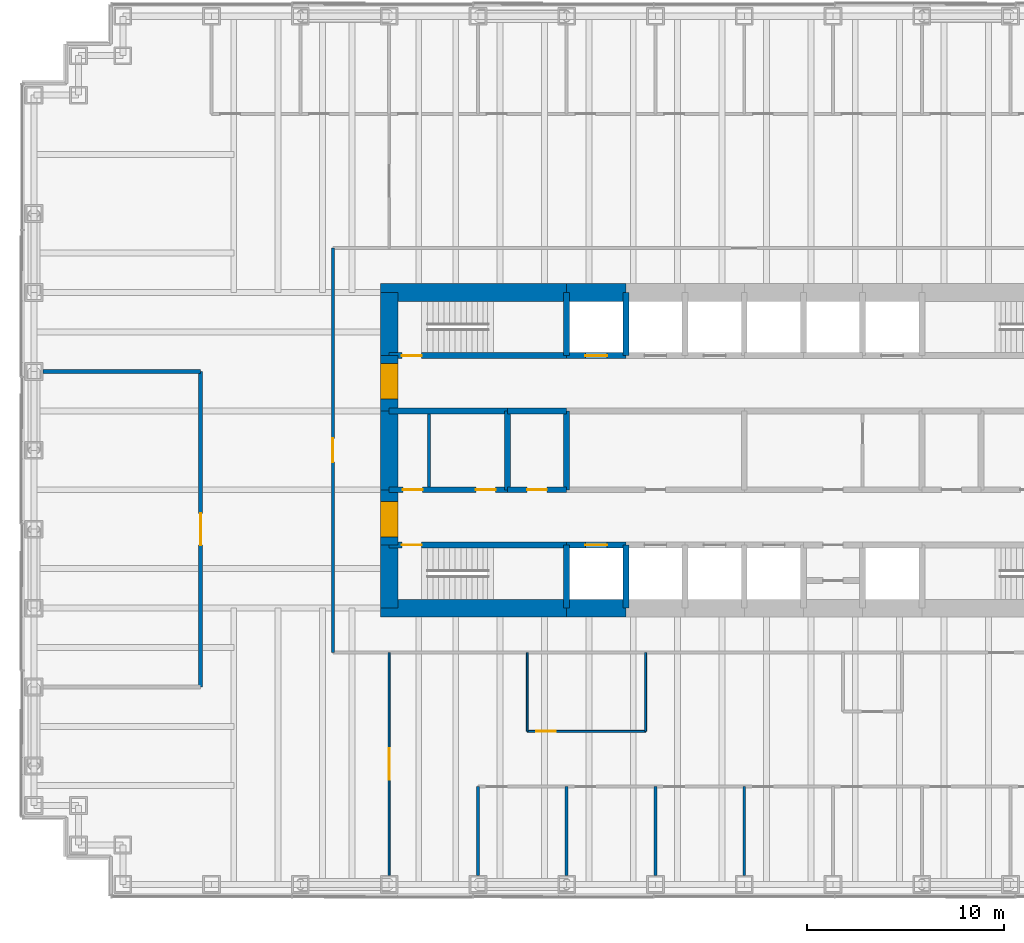
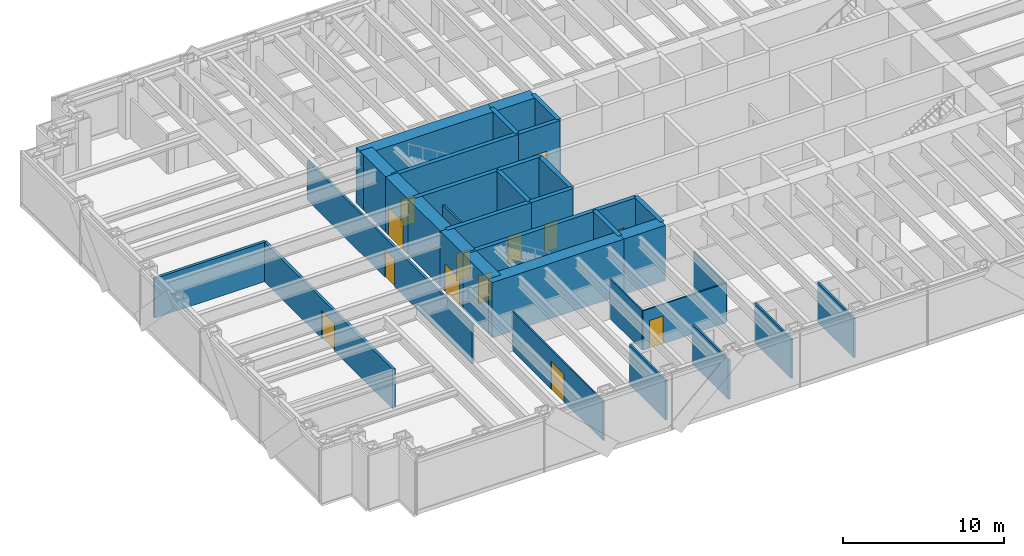
# One storey, part 11 of 16: 35 walls, 13 doors, 13 openings.
"""IFC4 building model written with IfcOpenShell, lengths in metres."""

from ifc_helpers import new_model, si_unit, direction, frame, frame_2d, origin, place, context, subcontext, project, spatial, rectangle, extrude, material, layer, layer_set, type_object, element, fill, save


model = new_model("IFC4")

# Units and contexts
model_context = context("Model", 3, precision=1e-05, world=origin(), true_north=direction((0.0, 1.0)))
body_context = subcontext(model_context, "Body", "Model", "MODEL_VIEW")
ifc_project = project(units=[si_unit("LENGTHUNIT", "METRE"), si_unit("AREAUNIT", "SQUARE_METRE"), si_unit("VOLUMEUNIT", "CUBIC_METRE"), si_unit("PLANEANGLEUNIT", "RADIAN"), si_unit("MASSUNIT", "GRAM", prefix="KILO")], contexts=[model_context])

# Site, building, storey
site_placement = place(None, origin())
site = spatial("IfcSite", under=ifc_project, at=site_placement, CompositionType="ELEMENT")
building_placement = place(site_placement, origin())
building = spatial("IfcBuilding", under=site, at=building_placement, Name="Rheinbord Bourse Tower", CompositionType="ELEMENT")
storey_placement = place(building_placement, frame((0.0, 0.0, 171.89990234375)))
storey = spatial("IfcBuildingStorey", under=building, at=storey_placement, Name="L38", CompositionType="ELEMENT", Elevation=171.89990234375)

# Wall
ifc_material_1 = material(Name="Acoustic gypsum board partition", Category="gypsum board")
ifc_layer_1 = layer(ifc_material_1, 0.199951171875)
ifc_layer_set_1 = layer_set([ifc_layer_1], Name="ACOUSTIC PARTITION 200")
wall_type_1 = type_object("IfcWallType", Name="ACOUSTIC PARTITION 200", PredefinedType="PARTITIONING", material=ifc_layer_set_1)
wall_1_placement = place(storey_placement, frame((0.449951171875, 28.0, 0.0), z_axis=(0.0, 0.0, 1.0), x_axis=(1.0, 0.0, 0.0)))
element("IfcWall", 1, at=wall_1_placement, inside=storey, type_object=wall_type_1, Name="Partition L38-10", PredefinedType="PARTITIONING", context=body_context, shape_type="SweptSolid", body=[
    extrude(rectangle(XDim=8.0, YDim=0.199951171875, at=frame_2d((4.0, 0.0))), origin(), (0.0, 0.0, 1.0), 3.0),
])

# Wall, opening, door
wall_2_placement = place(storey_placement, frame((8.449951171875, 12.0, 0.0), z_axis=(0.0, 0.0, 1.0), x_axis=(0.0, 1.0, 0.0)))
wall_2 = element("IfcWall", 2, at=wall_2_placement, inside=storey, type_object=wall_type_1, Name="Partition L38-15", PredefinedType="PARTITIONING", context=body_context, shape_type="SweptSolid", body=[
    extrude(rectangle(XDim=16.0, YDim=0.199951171875, at=frame_2d((8.0, 0.0))), origin(), (0.0, 0.0, 1.0), 3.0),
])
opening_1_placement = place(wall_2_placement, frame((7.199951171875, 0.0, 0.0)))
opening_1 = element("IfcOpeningElement", 3, at=opening_1_placement, cuts=wall_2, Name="Opening 38D12", PredefinedType="OPENING", context=body_context, shape_type="SweptSolid", body=[
    extrude(rectangle(XDim=1.60009765625, YDim=2.10009765625, at=frame_2d((0.800048828125, 1.050048828125))), frame((0.0, 0.10986328125, 0.0), z_axis=(0.0, -1.0, 0.0), x_axis=(1.0, 0.0, 0.0)), (0.0, 0.0, 1.0), 0.219970703125),
])
ifc_material_2 = material(Name="Timber door", Category="wood")
door_type_1 = type_object("IfcDoorType", Name="DOUBLE ROOM DOOR 1600", OperationType="DOUBLE_DOOR_DOUBLE_SWING", PredefinedType="DOOR", material=ifc_material_2)
door_1_placement = place(opening_1_placement, origin())
door_1 = element("IfcDoor", 4, at=door_1_placement, inside=storey, type_object=door_type_1, Name="Hearing room door L38", OperationType="SINGLE_SWING_LEFT", OverallHeight=2.10009765625, OverallWidth=1.60009765625, PredefinedType="DOOR", context=body_context, shape_type="SweptSolid", body=[
    extrude(rectangle(XDim=1.60009765625, YDim=2.10009765625, at=frame_2d((0.800048828125, 1.050048828125))), frame((0.0, 0.02490234375, 0.0), z_axis=(0.0, -1.0, 0.0), x_axis=(1.0, 0.0, 0.0)), (0.0, 0.0, 1.0), 0.050048828125),
])
fill(opening_1, door_1)

ifc_material_3 = material(Name="Concrete C50/60", Category="concrete")
ifc_layer_2 = layer(ifc_material_3, 0.300048828125)
ifc_layer_set_2 = layer_set([ifc_layer_2], Name="CORE INNER WALL 300")
wall_type_2 = type_object("IfcWallType", Name="CORE INNER WALL 300", PredefinedType="SOLIDWALL", material=ifc_layer_set_2)
wall_3_placement = place(storey_placement, frame((18.0, 19.199951171875, 0.0), z_axis=(0.0, 0.0, 1.0), x_axis=(1.0, 0.0, 0.0)))
wall_3 = element("IfcWall", 5, at=wall_3_placement, inside=storey, type_object=wall_type_2, Name="Core wall A1 L38", PredefinedType="SOLIDWALL", context=body_context, shape_type="SweptSolid", body=[
    extrude(rectangle(XDim=9.0, YDim=0.300048828125, at=frame_2d((4.5, 0.0))), origin(), (0.0, 0.0, 1.0), 4.2001953125),
])
opening_2_placement = place(wall_3_placement, frame((0.64990234375, 0.0, 0.0)))
opening_2 = element("IfcOpeningElement", 6, at=opening_2_placement, cuts=wall_3, Name="Opening 3810", PredefinedType="OPENING", context=body_context, shape_type="SweptSolid", body=[
    extrude(rectangle(XDim=1.0, YDim=2.10009765625, at=frame_2d((0.5, 1.050048828125))), frame((0.0, 0.159912109375, 0.0), z_axis=(0.0, -1.0, 0.0), x_axis=(1.0, 0.0, 0.0)), (0.0, 0.0, 1.0), 0.320068359375),
])
ifc_material_4 = material(Name="Steel door", Category="steel")
door_type_2 = type_object("IfcDoorType", Name="DOOR 1000 EI30", OperationType="SINGLE_SWING_LEFT", PredefinedType="DOOR", material=ifc_material_4)
door_2_placement = place(opening_2_placement, origin())
door_2 = element("IfcDoor", 7, at=door_2_placement, inside=storey, type_object=door_type_2, Name="Stair door ST1 L38", OperationType="SINGLE_SWING_LEFT", OverallHeight=2.10009765625, OverallWidth=1.0, PredefinedType="DOOR", context=body_context, shape_type="SweptSolid", body=[
    extrude(rectangle(XDim=1.0, YDim=2.10009765625, at=frame_2d((0.5, 1.050048828125))), frame((0.0, 0.02490234375, 0.0), z_axis=(0.0, -1.0, 0.0), x_axis=(1.0, 0.0, 0.0)), (0.0, 0.0, 1.0), 0.050048828125),
])
fill(opening_2, door_2)

wall_4_placement = place(storey_placement, frame((27.0, 19.199951171875, 0.0), z_axis=(0.0, 0.0, 1.0), x_axis=(1.0, 0.0, 0.0)))
wall_4 = element("IfcWall", 8, at=wall_4_placement, inside=storey, type_object=wall_type_2, Name="Core wall A2 L38", PredefinedType="SOLIDWALL", context=body_context, shape_type="SweptSolid", body=[
    extrude(rectangle(XDim=3.0, YDim=0.300048828125, at=frame_2d((1.5, 0.0))), origin(), (0.0, 0.0, 1.0), 4.2001953125),
])
opening_3_placement = place(wall_4_placement, frame((0.949951171875, 0.0, 0.0)))
opening_3 = element("IfcOpeningElement", 9, at=opening_3_placement, cuts=wall_4, Name="Opening FL1", PredefinedType="OPENING", context=body_context, shape_type="SweptSolid", body=[
    extrude(rectangle(XDim=1.10009765625, YDim=2.199951171875, at=frame_2d((0.550048828125, 1.10009765625))), frame((0.0, 0.159912109375, 0.0), z_axis=(0.0, -1.0, 0.0), x_axis=(1.0, 0.0, 0.0)), (0.0, 0.0, 1.0), 0.320068359375),
])
ifc_material_5 = material(Name="Steel landing door", Category="steel")
door_type_3 = type_object("IfcDoorType", Name="LIFT LANDING DOOR 1100", OperationType="DOUBLE_DOOR_SLIDING", PredefinedType="USERDEFINED", material=ifc_material_5)
door_3_placement = place(opening_3_placement, origin())
door_3 = element("IfcDoor", 10, at=door_3_placement, inside=storey, type_object=door_type_3, Name="Lift landing door FL1 L38", ObjectType="LIFT LANDING DOOR", OperationType="DOUBLE_DOOR_SLIDING", OverallHeight=2.199951171875, OverallWidth=1.10009765625, PredefinedType="USERDEFINED", context=body_context, shape_type="SweptSolid", body=[
    extrude(rectangle(XDim=1.10009765625, YDim=2.199951171875, at=frame_2d((0.550048828125, 1.10009765625))), frame((0.0, 0.02490234375, 0.0), z_axis=(0.0, -1.0, 0.0), x_axis=(1.0, 0.0, 0.0)), (0.0, 0.0, 1.0), 0.050048828125),
])
fill(opening_3, door_3)

wall_5_placement = place(storey_placement, frame((18.0, 28.800048828125, 0.0), z_axis=(0.0, 0.0, 1.0), x_axis=(1.0, 0.0, 0.0)))
wall_5 = element("IfcWall", 11, at=wall_5_placement, inside=storey, type_object=wall_type_2, Name="Core wall B1 L38", PredefinedType="SOLIDWALL", context=body_context, shape_type="SweptSolid", body=[
    extrude(rectangle(XDim=9.0, YDim=0.300048828125, at=frame_2d((4.5, 0.0))), origin(), (0.0, 0.0, 1.0), 4.2001953125),
])
opening_4_placement = place(wall_5_placement, frame((0.64990234375, 0.0, 0.0)))
opening_4 = element("IfcOpeningElement", 12, at=opening_4_placement, cuts=wall_5, Name="Opening 3820", PredefinedType="OPENING", context=body_context, shape_type="SweptSolid", body=[
    extrude(rectangle(XDim=1.0, YDim=2.10009765625, at=frame_2d((0.5, 1.050048828125))), frame((0.0, 0.159912109375, 0.0), z_axis=(0.0, -1.0, 0.0), x_axis=(1.0, 0.0, 0.0)), (0.0, 0.0, 1.0), 0.320068359375),
])
door_4_placement = place(opening_4_placement, origin())
door_4 = element("IfcDoor", 13, at=door_4_placement, inside=storey, type_object=door_type_2, Name="Stair door ST2 L38", OperationType="SINGLE_SWING_LEFT", OverallHeight=2.10009765625, OverallWidth=1.0, PredefinedType="DOOR", context=body_context, shape_type="SweptSolid", body=[
    extrude(rectangle(XDim=1.0, YDim=2.10009765625, at=frame_2d((0.5, 1.050048828125))), frame((0.0, 0.02490234375, 0.0), z_axis=(0.0, -1.0, 0.0), x_axis=(1.0, 0.0, 0.0)), (0.0, 0.0, 1.0), 0.050048828125),
])
fill(opening_4, door_4)

wall_6_placement = place(storey_placement, frame((27.0, 28.800048828125, 0.0), z_axis=(0.0, 0.0, 1.0), x_axis=(1.0, 0.0, 0.0)))
wall_6 = element("IfcWall", 14, at=wall_6_placement, inside=storey, type_object=wall_type_2, Name="Core wall B2 L38", PredefinedType="SOLIDWALL", context=body_context, shape_type="SweptSolid", body=[
    extrude(rectangle(XDim=3.0, YDim=0.300048828125, at=frame_2d((1.5, 0.0))), origin(), (0.0, 0.0, 1.0), 4.2001953125),
])
opening_5_placement = place(wall_6_placement, frame((0.949951171875, 0.0, 0.0)))
opening_5 = element("IfcOpeningElement", 15, at=opening_5_placement, cuts=wall_6, Name="Opening GL1", PredefinedType="OPENING", context=body_context, shape_type="SweptSolid", body=[
    extrude(rectangle(XDim=1.10009765625, YDim=2.199951171875, at=frame_2d((0.550048828125, 1.10009765625))), frame((0.0, 0.159912109375, 0.0), z_axis=(0.0, -1.0, 0.0), x_axis=(1.0, 0.0, 0.0)), (0.0, 0.0, 1.0), 0.320068359375),
])
door_5_placement = place(opening_5_placement, origin())
door_5 = element("IfcDoor", 16, at=door_5_placement, inside=storey, type_object=door_type_3, Name="Lift landing door GL1 L38", ObjectType="LIFT LANDING DOOR", OperationType="DOUBLE_DOOR_SLIDING", OverallHeight=2.199951171875, OverallWidth=1.10009765625, PredefinedType="USERDEFINED", context=body_context, shape_type="SweptSolid", body=[
    extrude(rectangle(XDim=1.10009765625, YDim=2.199951171875, at=frame_2d((0.550048828125, 1.10009765625))), frame((0.0, 0.02490234375, 0.0), z_axis=(0.0, -1.0, 0.0), x_axis=(1.0, 0.0, 0.0)), (0.0, 0.0, 1.0), 0.050048828125),
])
fill(opening_5, door_5)

# Wall, openings, doors
wall_7_placement = place(storey_placement, frame((18.0, 22.0, 0.0), z_axis=(0.0, 0.0, 1.0), x_axis=(1.0, 0.0, 0.0)))
wall_7 = element("IfcWall", 17, at=wall_7_placement, inside=storey, type_object=wall_type_2, Name="Core wall C1 L38", PredefinedType="SOLIDWALL", context=body_context, shape_type="SweptSolid", body=[
    extrude(rectangle(XDim=6.0, YDim=0.300048828125, at=frame_2d((3.0, 0.0))), origin(), (0.0, 0.0, 1.0), 4.2001953125),
])
opening_6_placement = place(wall_7_placement, frame((4.39990234375, 0.0, 0.0)))
opening_6 = element("IfcOpeningElement", 18, at=opening_6_placement, cuts=wall_7, Name="Opening 38R1", PredefinedType="OPENING", context=body_context, shape_type="SweptSolid", body=[
    extrude(rectangle(XDim=1.0, YDim=2.10009765625, at=frame_2d((0.5, 1.050048828125))), frame((0.0, 0.159912109375, 0.0), z_axis=(0.0, -1.0, 0.0), x_axis=(1.0, 0.0, 0.0)), (0.0, 0.0, 1.0), 0.320068359375),
])
opening_7_placement = place(wall_7_placement, frame((0.699951171875, 0.0, 0.0)))
opening_7 = element("IfcOpeningElement", 19, at=opening_7_placement, cuts=wall_7, Name="Opening 38R9", PredefinedType="OPENING", context=body_context, shape_type="SweptSolid", body=[
    extrude(rectangle(XDim=1.0, YDim=2.10009765625, at=frame_2d((0.5, 1.050048828125))), frame((0.0, 0.159912109375, 0.0), z_axis=(0.0, -1.0, 0.0), x_axis=(1.0, 0.0, 0.0)), (0.0, 0.0, 1.0), 0.320068359375),
])
door_6_placement = place(opening_7_placement, origin())
door_6 = element("IfcDoor", 20, at=door_6_placement, inside=storey, type_object=door_type_2, Name="Staff shower door L38", OperationType="SINGLE_SWING_LEFT", OverallHeight=2.10009765625, OverallWidth=1.0, PredefinedType="DOOR", context=body_context, shape_type="SweptSolid", body=[
    extrude(rectangle(XDim=1.0, YDim=2.10009765625, at=frame_2d((0.5, 1.050048828125))), frame((0.0, 0.02490234375, 0.0), z_axis=(0.0, -1.0, 0.0), x_axis=(1.0, 0.0, 0.0)), (0.0, 0.0, 1.0), 0.050048828125),
])
fill(opening_7, door_6)
ifc_material_6 = material(Name="Timber door", Category="wood")
door_type_4 = type_object("IfcDoorType", Name="DOOR 1000 WC", OperationType="SINGLE_SWING_LEFT", PredefinedType="DOOR", material=ifc_material_6)
door_7_placement = place(opening_6_placement, origin())
door_7 = element("IfcDoor", 21, at=door_7_placement, inside=storey, type_object=door_type_4, Name="WC men door L38", OperationType="SINGLE_SWING_RIGHT", OverallHeight=2.10009765625, OverallWidth=1.0, PredefinedType="DOOR", context=body_context, shape_type="SweptSolid", body=[
    extrude(rectangle(XDim=1.0, YDim=2.10009765625, at=frame_2d((0.5, 1.050048828125))), frame((0.0, 0.02490234375, 0.0), z_axis=(0.0, -1.0, 0.0), x_axis=(1.0, 0.0, 0.0)), (0.0, 0.0, 1.0), 0.050048828125),
])
fill(opening_6, door_7)

# Wall, opening, door
wall_8_placement = place(storey_placement, frame((24.0, 22.0, 0.0), z_axis=(0.0, 0.0, 1.0), x_axis=(1.0, 0.0, 0.0)))
wall_8 = element("IfcWall", 22, at=wall_8_placement, inside=storey, type_object=wall_type_2, Name="Core wall C2 L38", PredefinedType="SOLIDWALL", context=body_context, shape_type="SweptSolid", body=[
    extrude(rectangle(XDim=3.0, YDim=0.300048828125, at=frame_2d((1.5, 0.0))), origin(), (0.0, 0.0, 1.0), 4.2001953125),
])
opening_8_placement = place(wall_8_placement, frame((1.0, 0.0, 0.0)))
opening_8 = element("IfcOpeningElement", 23, at=opening_8_placement, cuts=wall_8, Name="Opening 38R2", PredefinedType="OPENING", context=body_context, shape_type="SweptSolid", body=[
    extrude(rectangle(XDim=1.0, YDim=2.10009765625, at=frame_2d((0.5, 1.050048828125))), frame((0.0, 0.159912109375, 0.0), z_axis=(0.0, -1.0, 0.0), x_axis=(1.0, 0.0, 0.0)), (0.0, 0.0, 1.0), 0.320068359375),
])
door_8_placement = place(opening_8_placement, origin())
door_8 = element("IfcDoor", 24, at=door_8_placement, inside=storey, type_object=door_type_4, Name="Accessible WC door L38", OperationType="SINGLE_SWING_LEFT", OverallHeight=2.10009765625, OverallWidth=1.0, PredefinedType="DOOR", context=body_context, shape_type="SweptSolid", body=[
    extrude(rectangle(XDim=1.0, YDim=2.10009765625, at=frame_2d((0.5, 1.050048828125))), frame((0.0, 0.02490234375, 0.0), z_axis=(0.0, -1.0, 0.0), x_axis=(1.0, 0.0, 0.0)), (0.0, 0.0, 1.0), 0.050048828125),
])
fill(opening_8, door_8)

# Walls
wall_9_placement = place(storey_placement, frame((18.0, 26.0, 0.0), z_axis=(0.0, 0.0, 1.0), x_axis=(1.0, 0.0, 0.0)))
element("IfcWall", 25, at=wall_9_placement, inside=storey, type_object=wall_type_2, Name="Core wall D1 L38", PredefinedType="SOLIDWALL", context=body_context, shape_type="SweptSolid", body=[
    extrude(rectangle(XDim=6.0, YDim=0.300048828125, at=frame_2d((3.0, 0.0))), origin(), (0.0, 0.0, 1.0), 4.2001953125),
])
wall_10_placement = place(storey_placement, frame((24.0, 26.0, 0.0), z_axis=(0.0, 0.0, 1.0), x_axis=(1.0, 0.0, 0.0)))
element("IfcWall", 26, at=wall_10_placement, inside=storey, type_object=wall_type_2, Name="Core wall D2 L38", PredefinedType="SOLIDWALL", context=body_context, shape_type="SweptSolid", body=[
    extrude(rectangle(XDim=3.0, YDim=0.300048828125, at=frame_2d((1.5, 0.0))), origin(), (0.0, 0.0, 1.0), 4.2001953125),
])
for number, where, z_axis, x_axis, name in (
    (27, (27.0, 16.0, 0.0), (0.0, 0.0, 1.0), (0.0, 1.0, 0.0), "Core wall SX27 L38"),
    (28, (27.0, 28.800048828125, 0.0), (0.0, 0.0, 1.0), (0.0, 1.0, 0.0), "Core wall NX27 L38"),
    (29, (30.0, 16.0, 0.0), (0.0, 0.0, 1.0), (0.0, 1.0, 0.0), "Core wall SX30 L38"),
    (30, (30.0, 28.800048828125, 0.0), (0.0, 0.0, 1.0), (0.0, 1.0, 0.0), "Core wall NX30 L38"),
):
    element("IfcWall", number, at=place(storey_placement, frame(where, z_axis=z_axis, x_axis=x_axis)), inside=storey, type_object=wall_type_2, Name=name, PredefinedType="SOLIDWALL", context=body_context, shape_type="SweptSolid", body=[
        extrude(rectangle(XDim=3.199951171875, YDim=0.300048828125, at=frame_2d((1.60009765625, 0.0))), origin(), (0.0, 0.0, 1.0), 4.2001953125),
    ])
for number, where, z_axis, x_axis, name in (
    (31, (24.0, 22.0, 0.0), (0.0, 0.0, 1.0), (0.0, 1.0, 0.0), "Core wall MX24 L38"),
    (32, (27.0, 22.0, 0.0), (0.0, 0.0, 1.0), (0.0, 1.0, 0.0), "Core wall MX27 L38"),
):
    element("IfcWall", number, at=place(storey_placement, frame(where, z_axis=z_axis, x_axis=x_axis)), inside=storey, type_object=wall_type_2, Name=name, PredefinedType="SOLIDWALL", context=body_context, shape_type="SweptSolid", body=[
        extrude(rectangle(XDim=4.0, YDim=0.300048828125, at=frame_2d((2.0, 0.0))), origin(), (0.0, 0.0, 1.0), 4.2001953125),
    ])
ifc_material_7 = material(Name="Gypsum board fire partition", Category="gypsum board")
ifc_layer_3 = layer(ifc_material_7, 0.14990234375)
ifc_layer_set_3 = layer_set([ifc_layer_3], Name="CORE PARTITION 150 EI30")
wall_type_3 = type_object("IfcWallType", Name="CORE PARTITION 150 EI30", PredefinedType="PARTITIONING", material=ifc_layer_set_3)
wall_11_placement = place(storey_placement, frame((20.02490234375, 22.14990234375, 0.0), z_axis=(0.0, 0.0, 1.0), x_axis=(0.0, 1.0, 0.0)))
element("IfcWall", 33, at=wall_11_placement, inside=storey, type_object=wall_type_3, Name="Core partition L38-2", PredefinedType="PARTITIONING", context=body_context, shape_type="SweptSolid", body=[
    extrude(rectangle(XDim=3.7001953125, YDim=0.14990234375, at=frame_2d((1.85009765625, 0.0))), origin(), (0.0, 0.0, 1.0), 3.0),
])
ifc_material_8 = material(Name="Concrete C50/60", Category="concrete")
ifc_layer_4 = layer(ifc_material_8, 0.89990234375)
ifc_layer_set_4 = layer_set([ifc_layer_4], Name="CORE WALL 900")
wall_type_4 = type_object("IfcWallType", Name="CORE WALL 900", PredefinedType="SHEAR", material=ifc_layer_set_4)
wall_12_placement = place(storey_placement, frame((17.550048828125, 16.0, 0.0), z_axis=(0.0, 0.0, 1.0), x_axis=(1.0, 0.0, 0.0)))
element("IfcWall", 34, at=wall_12_placement, inside=storey, type_object=wall_type_4, Name="Core wall S1 L38", PredefinedType="SHEAR", context=body_context, shape_type="SweptSolid", body=[
    extrude(rectangle(XDim=9.449951171875, YDim=0.89990234375, at=frame_2d((4.72509765625, 0.0))), origin(), (0.0, 0.0, 1.0), 4.2001953125),
])
for number, where, z_axis, x_axis, name in (
    (35, (27.0, 16.0, 0.0), (0.0, 0.0, 1.0), (1.0, 0.0, 0.0), "Core wall S2 L38"),
    (36, (30.0, 32.0, 0.0), (0.0, 0.0, 1.0), (-1.0, 0.0, 0.0), "Core wall N7 L38"),
):
    element("IfcWall", number, at=place(storey_placement, frame(where, z_axis=z_axis, x_axis=x_axis)), inside=storey, type_object=wall_type_4, Name=name, PredefinedType="SHEAR", context=body_context, shape_type="SweptSolid", body=[
        extrude(rectangle(XDim=3.0, YDim=0.89990234375, at=frame_2d((1.5, 0.0))), origin(), (0.0, 0.0, 1.0), 4.2001953125),
    ])
wall_13_placement = place(storey_placement, frame((27.0, 32.0, 0.0), z_axis=(0.0, 0.0, 1.0), x_axis=(-1.0, 0.0, 0.0)))
element("IfcWall", 37, at=wall_13_placement, inside=storey, type_object=wall_type_4, Name="Core wall N8 L38", PredefinedType="SHEAR", context=body_context, shape_type="SweptSolid", body=[
    extrude(rectangle(XDim=9.449951171875, YDim=0.89990234375, at=frame_2d((4.72509765625, 0.0))), origin(), (0.0, 0.0, 1.0), 4.2001953125),
])
wall_14_placement = place(storey_placement, frame((18.0, 32.0, 0.0), z_axis=(0.0, 0.0, 1.0), x_axis=(0.0, -1.0, 0.0)))
element("IfcWall", 38, at=wall_14_placement, inside=storey, type_object=wall_type_4, Name="Core wall W1 L38", PredefinedType="SHEAR", context=body_context, shape_type="SweptSolid", body=[
    extrude(rectangle(XDim=3.199951171875, YDim=0.89990234375, at=frame_2d((1.60009765625, 0.0))), origin(), (0.0, 0.0, 1.0), 4.2001953125),
])

# Wall, opening, door
wall_15_placement = place(storey_placement, frame((18.0, 28.800048828125, 0.0), z_axis=(0.0, 0.0, 1.0), x_axis=(0.0, -1.0, 0.0)))
wall_15 = element("IfcWall", 39, at=wall_15_placement, inside=storey, type_object=wall_type_4, Name="Core wall W2 L38", PredefinedType="SHEAR", context=body_context, shape_type="SweptSolid", body=[
    extrude(rectangle(XDim=2.800048828125, YDim=0.89990234375, at=frame_2d((1.39990234375, 0.0))), origin(), (0.0, 0.0, 1.0), 4.2001953125),
])
opening_9_placement = place(wall_15_placement, frame((0.39990234375, 0.0, 0.0)))
opening_9 = element("IfcOpeningElement", 40, at=opening_9_placement, cuts=wall_15, Name="Opening 38L2", PredefinedType="OPENING", context=body_context, shape_type="SweptSolid", body=[
    extrude(rectangle(XDim=1.800048828125, YDim=2.10009765625, at=frame_2d((0.89990234375, 1.050048828125))), frame((0.0, 0.4599609375, 0.0), z_axis=(0.0, -1.0, 0.0), x_axis=(1.0, 0.0, 0.0)), (0.0, 0.0, 1.0), 0.919921875),
])
ifc_material_9 = material(Name="Steel door", Category="steel")
door_type_5 = type_object("IfcDoorType", Name="DOOR 1800 EI30 DOUBLE", OperationType="DOUBLE_DOOR_DOUBLE_SWING", PredefinedType="DOOR", material=ifc_material_9)
door_9_placement = place(opening_9_placement, origin())
door_9 = element("IfcDoor", 41, at=door_9_placement, inside=storey, type_object=door_type_5, Name="Lobby door 2 L38", OperationType="SINGLE_SWING_LEFT", OverallHeight=2.10009765625, OverallWidth=1.800048828125, PredefinedType="DOOR", context=body_context, shape_type="SweptSolid", body=[
    extrude(rectangle(XDim=1.800048828125, YDim=2.10009765625, at=frame_2d((0.89990234375, 1.050048828125))), frame((0.0, 0.44970703125, 0.0), z_axis=(0.0, -1.0, 0.0), x_axis=(1.0, 0.0, 0.0)), (0.0, 0.0, 1.0), 0.8994140625),
])
fill(opening_9, door_9)

# Wall
wall_16_placement = place(storey_placement, frame((18.0, 26.0, 0.0), z_axis=(0.0, 0.0, 1.0), x_axis=(0.0, -1.0, 0.0)))
element("IfcWall", 42, at=wall_16_placement, inside=storey, type_object=wall_type_4, Name="Core wall W3 L38", PredefinedType="SHEAR", context=body_context, shape_type="SweptSolid", body=[
    extrude(rectangle(XDim=4.0, YDim=0.89990234375, at=frame_2d((2.0, 0.0))), origin(), (0.0, 0.0, 1.0), 4.2001953125),
])

# Wall, opening, door
wall_17_placement = place(storey_placement, frame((18.0, 22.0, 0.0), z_axis=(0.0, 0.0, 1.0), x_axis=(0.0, -1.0, 0.0)))
wall_17 = element("IfcWall", 43, at=wall_17_placement, inside=storey, type_object=wall_type_4, Name="Core wall W4 L38", PredefinedType="SHEAR", context=body_context, shape_type="SweptSolid", body=[
    extrude(rectangle(XDim=2.800048828125, YDim=0.89990234375, at=frame_2d((1.39990234375, 0.0))), origin(), (0.0, 0.0, 1.0), 4.2001953125),
])
opening_10_placement = place(wall_17_placement, frame((0.60009765625, 0.0, 0.0)))
opening_10 = element("IfcOpeningElement", 44, at=opening_10_placement, cuts=wall_17, Name="Opening 38L1", PredefinedType="OPENING", context=body_context, shape_type="SweptSolid", body=[
    extrude(rectangle(XDim=1.800048828125, YDim=2.10009765625, at=frame_2d((0.89990234375, 1.050048828125))), frame((0.0, 0.4599609375, 0.0), z_axis=(0.0, -1.0, 0.0), x_axis=(1.0, 0.0, 0.0)), (0.0, 0.0, 1.0), 0.919921875),
])
door_10_placement = place(opening_10_placement, origin())
door_10 = element("IfcDoor", 45, at=door_10_placement, inside=storey, type_object=door_type_5, Name="Lobby door 1 L38", OperationType="SINGLE_SWING_LEFT", OverallHeight=2.10009765625, OverallWidth=1.800048828125, PredefinedType="DOOR", context=body_context, shape_type="SweptSolid", body=[
    extrude(rectangle(XDim=1.800048828125, YDim=2.10009765625, at=frame_2d((0.89990234375, 1.050048828125))), frame((0.0, 0.44970703125, 0.0), z_axis=(0.0, -1.0, 0.0), x_axis=(1.0, 0.0, 0.0)), (0.0, 0.0, 1.0), 0.8994140625),
])
fill(opening_10, door_10)

# Wall
wall_18_placement = place(storey_placement, frame((18.0, 19.199951171875, 0.0), z_axis=(0.0, 0.0, 1.0), x_axis=(0.0, -1.0, 0.0)))
element("IfcWall", 46, at=wall_18_placement, inside=storey, type_object=wall_type_4, Name="Core wall W5 L38", PredefinedType="SHEAR", context=body_context, shape_type="SweptSolid", body=[
    extrude(rectangle(XDim=3.199951171875, YDim=0.89990234375, at=frame_2d((1.60009765625, 0.0))), origin(), (0.0, 0.0, 1.0), 4.2001953125),
])

# Wall, opening, door
ifc_material_10 = material(Name="Gypsum board corridor partition", Category="gypsum board")
ifc_layer_5 = layer(ifc_material_10, 0.14990234375)
ifc_layer_set_5 = layer_set([ifc_layer_5], Name="CORRIDOR PARTITION 150 EI30")
wall_type_5 = type_object("IfcWallType", Name="CORRIDOR PARTITION 150 EI30", PredefinedType="PARTITIONING", material=ifc_layer_set_5)
wall_19_placement = place(storey_placement, frame((15.14990234375, 13.75, 0.0), z_axis=(0.0, 0.0, 1.0), x_axis=(0.0, 1.0, 0.0)))
wall_19 = element("IfcWall", 47, at=wall_19_placement, inside=storey, type_object=wall_type_5, Name="Partition L38-18", PredefinedType="PARTITIONING", context=body_context, shape_type="SweptSolid", body=[
    extrude(rectangle(XDim=20.5, YDim=0.14990234375, at=frame_2d((10.25, 0.0))), origin(), (0.0, 0.0, 1.0), 3.0),
])
opening_11_placement = place(wall_19_placement, frame((9.64990234375, 0.0, 0.0)))
opening_11 = element("IfcOpeningElement", 48, at=opening_11_placement, cuts=wall_19, Name="Opening 38D30", PredefinedType="OPENING", context=body_context, shape_type="SweptSolid", body=[
    extrude(rectangle(XDim=1.199951171875, YDim=2.10009765625, at=frame_2d((0.60009765625, 1.050048828125))), frame((0.0, 0.0849609375, 0.0), z_axis=(0.0, -1.0, 0.0), x_axis=(1.0, 0.0, 0.0)), (0.0, 0.0, 1.0), 0.169921875),
])
ifc_material_11 = material(Name="Timber fire door", Category="wood")
door_type_6 = type_object("IfcDoorType", Name="SUITE ENTRANCE DOOR 1200 EI30", OperationType="SINGLE_SWING_LEFT", PredefinedType="DOOR", material=ifc_material_11)
door_11_placement = place(opening_11_placement, origin())
door_11 = element("IfcDoor", 49, at=door_11_placement, inside=storey, type_object=door_type_6, Name="Suite entrance 1 door L38", OperationType="SINGLE_SWING_LEFT", OverallHeight=2.10009765625, OverallWidth=1.199951171875, PredefinedType="DOOR", context=body_context, shape_type="SweptSolid", body=[
    extrude(rectangle(XDim=1.199951171875, YDim=2.10009765625, at=frame_2d((0.60009765625, 1.050048828125))), frame((0.0, 0.02490234375, 0.0), z_axis=(0.0, -1.0, 0.0), x_axis=(1.0, 0.0, 0.0)), (0.0, 0.0, 1.0), 0.050048828125),
])
fill(opening_11, door_11)

ifc_material_12 = material(Name="Toughened laminated glass partition", Category="glass")
ifc_layer_6 = layer(ifc_material_12, 0.10009765625)
ifc_layer_set_6 = layer_set([ifc_layer_6], Name="GLAZED PARTITION 100")
wall_type_6 = type_object("IfcWallType", Name="GLAZED PARTITION 100", PredefinedType="PARTITIONING", material=ifc_layer_set_6)
wall_20_placement = place(storey_placement, frame((25.0, 9.75, 0.0), z_axis=(0.0, 0.0, 1.0), x_axis=(1.0, 0.0, 0.0)))
wall_20 = element("IfcWall", 50, at=wall_20_placement, inside=storey, type_object=wall_type_6, Name="Partition L38-02", PredefinedType="PARTITIONING", context=body_context, shape_type="SweptSolid", body=[
    extrude(rectangle(XDim=6.0, YDim=0.10009765625, at=frame_2d((3.0, 0.0))), origin(), (0.0, 0.0, 1.0), 3.0),
])
opening_12_placement = place(wall_20_placement, frame((0.449951171875, 0.0, 0.0)))
opening_12 = element("IfcOpeningElement", 51, at=opening_12_placement, cuts=wall_20, Name="Opening 38D08", PredefinedType="OPENING", context=body_context, shape_type="SweptSolid", body=[
    extrude(rectangle(XDim=1.0, YDim=2.10009765625, at=frame_2d((0.5, 1.050048828125))), frame((0.0, 0.06005859375, 0.0), z_axis=(0.0, -1.0, 0.0), x_axis=(1.0, 0.0, 0.0)), (0.0, 0.0, 1.0), 0.1201171875),
])
ifc_material_13 = material(Name="Timber door", Category="wood")
door_type_7 = type_object("IfcDoorType", Name="ROOM DOOR 1000", OperationType="SINGLE_SWING_LEFT", PredefinedType="DOOR", material=ifc_material_13)
door_12_placement = place(opening_12_placement, origin())
door_12 = element("IfcDoor", 52, at=door_12_placement, inside=storey, type_object=door_type_7, Name="Meeting room door L38", OperationType="SINGLE_SWING_LEFT", OverallHeight=2.10009765625, OverallWidth=1.0, PredefinedType="DOOR", context=body_context, shape_type="SweptSolid", body=[
    extrude(rectangle(XDim=1.0, YDim=2.10009765625, at=frame_2d((0.5, 1.050048828125))), frame((0.0, 0.02490234375, 0.0), z_axis=(0.0, -1.0, 0.0), x_axis=(1.0, 0.0, 0.0)), (0.0, 0.0, 1.0), 0.050048828125),
])
fill(opening_12, door_12)

wall_21_placement = place(storey_placement, frame((18.0, 2.449951171875, 0.0), z_axis=(0.0, 0.0, 1.0), x_axis=(0.0, 1.0, 0.0)))
wall_21 = element("IfcWall", 53, at=wall_21_placement, inside=storey, type_object=wall_type_6, Name="Partition L38-19", PredefinedType="PARTITIONING", context=body_context, shape_type="SweptSolid", body=[
    extrude(rectangle(XDim=11.300048828125, YDim=0.10009765625, at=frame_2d((5.64990234375, 0.0))), origin(), (0.0, 0.0, 1.0), 3.0),
])
opening_13_placement = place(wall_21_placement, frame((4.85009765625, 0.0, 0.0)))
opening_13 = element("IfcOpeningElement", 54, at=opening_13_placement, cuts=wall_21, Name="Opening 38D26", PredefinedType="OPENING", context=body_context, shape_type="SweptSolid", body=[
    extrude(rectangle(XDim=1.60009765625, YDim=2.10009765625, at=frame_2d((0.800048828125, 1.050048828125))), frame((0.0, 0.06005859375, 0.0), z_axis=(0.0, -1.0, 0.0), x_axis=(1.0, 0.0, 0.0)), (0.0, 0.0, 1.0), 0.1201171875),
])
door_13_placement = place(opening_13_placement, origin())
door_13 = element("IfcDoor", 55, at=door_13_placement, inside=storey, type_object=door_type_1, Name="Open area door L38", OperationType="SINGLE_SWING_LEFT", OverallHeight=2.10009765625, OverallWidth=1.60009765625, PredefinedType="DOOR", context=body_context, shape_type="SweptSolid", body=[
    extrude(rectangle(XDim=1.60009765625, YDim=2.10009765625, at=frame_2d((0.800048828125, 1.050048828125))), frame((0.0, 0.02490234375, 0.0), z_axis=(0.0, -1.0, 0.0), x_axis=(1.0, 0.0, 0.0)), (0.0, 0.0, 1.0), 0.050048828125),
])
fill(opening_13, door_13)

# Walls
for number, where, z_axis, x_axis, name in (
    (56, (25.0, 9.75, 0.0), (0.0, 0.0, 1.0), (0.0, 1.0, 0.0), "Partition L38-24"),
    (57, (31.0, 9.75, 0.0), (0.0, 0.0, 1.0), (0.0, 1.0, 0.0), "Partition L38-27"),
):
    element("IfcWall", number, at=place(storey_placement, frame(where, z_axis=z_axis, x_axis=x_axis)), inside=storey, type_object=wall_type_6, Name=name, PredefinedType="PARTITIONING", context=body_context, shape_type="SweptSolid", body=[
        extrude(rectangle(XDim=4.0, YDim=0.10009765625, at=frame_2d((2.0, 0.0))), origin(), (0.0, 0.0, 1.0), 3.0),
    ])
ifc_material_14 = material(Name="Gypsum board partition", Category="gypsum board")
ifc_layer_7 = layer(ifc_material_14, 0.14990234375)
ifc_layer_set_7 = layer_set([ifc_layer_7], Name="PARTITION 150")
wall_type_7 = type_object("IfcWallType", Name="PARTITION 150", PredefinedType="PARTITIONING", material=ifc_layer_set_7)
for number, where, z_axis, x_axis, name in (
    (58, (22.5, 2.449951171875, 0.0), (0.0, 0.0, 1.0), (0.0, 1.0, 0.0), "Partition L38-22"),
    (59, (27.0, 2.449951171875, 0.0), (0.0, 0.0, 1.0), (0.0, 1.0, 0.0), "Partition L38-25"),
    (60, (31.5, 2.449951171875, 0.0), (0.0, 0.0, 1.0), (0.0, 1.0, 0.0), "Partition L38-28"),
    (61, (36.0, 2.449951171875, 0.0), (0.0, 0.0, 1.0), (0.0, 1.0, 0.0), "Partition L38-30"),
):
    element("IfcWall", number, at=place(storey_placement, frame(where, z_axis=z_axis, x_axis=x_axis)), inside=storey, type_object=wall_type_7, Name=name, PredefinedType="PARTITIONING", context=body_context, shape_type="SweptSolid", body=[
        extrude(rectangle(XDim=4.5, YDim=0.14990234375, at=frame_2d((2.25, 0.0))), origin(), (0.0, 0.0, 1.0), 3.0),
    ])

save(model, "model.ifc")
